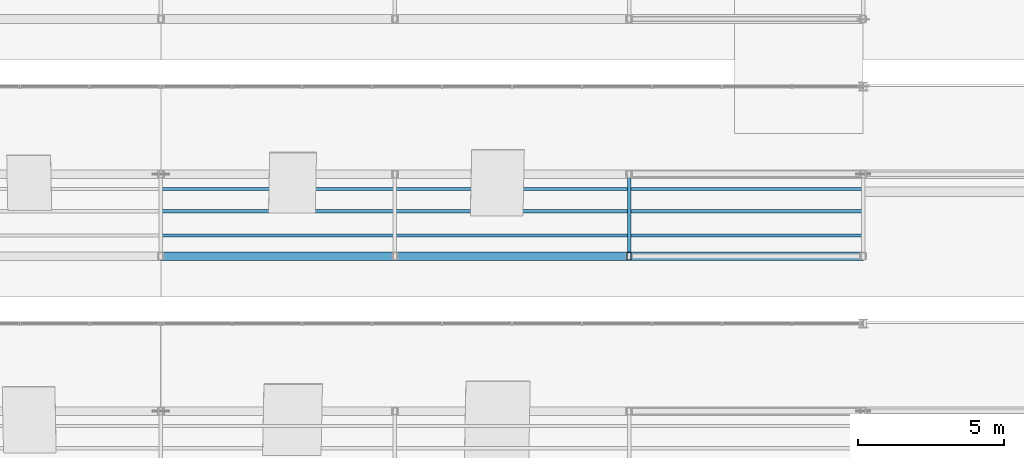
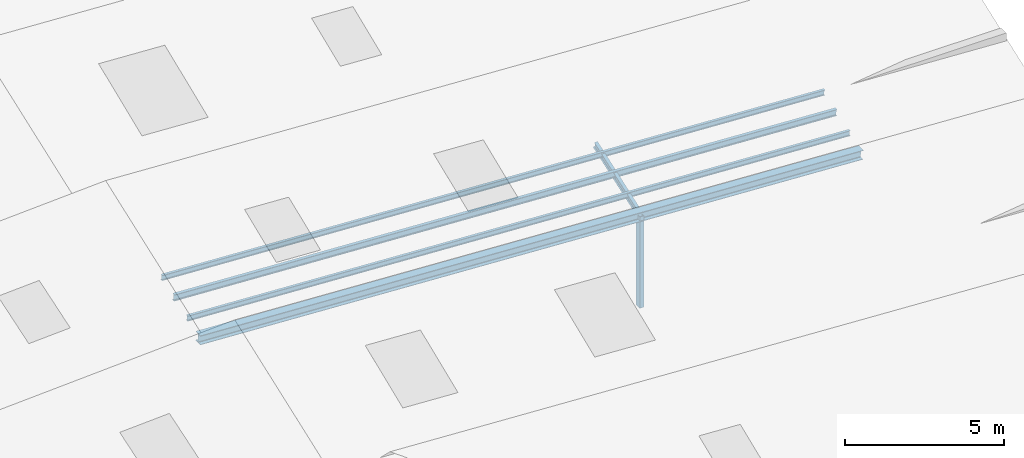
# One storey, part 108 of 141: 6 members.
"""IFC4 building model written with IfcOpenShell, lengths in metres."""

from ifc_helpers import new_model, si_unit, direction, frame, origin, origin_2d, place, context, subcontext, project, spatial, hollow_rectangle, i_section, extrude, material, material_profile, profile_set, type_object, element, save


model = new_model("IFC4")

# Units and contexts
model_context = context("Model", 3, precision=1e-05, world=origin(), true_north=direction((0.0, 1.0)))
body_context = subcontext(model_context, "Body", "Model", "MODEL_VIEW")
ifc_project = project(units=[si_unit("LENGTHUNIT", "METRE"), si_unit("AREAUNIT", "SQUARE_METRE"), si_unit("VOLUMEUNIT", "CUBIC_METRE"), si_unit("PLANEANGLEUNIT", "RADIAN"), si_unit("MASSUNIT", "GRAM", prefix="KILO")], contexts=[model_context])

# Site, building, storey
site_placement = place(None, origin())
site = spatial("IfcSite", under=ifc_project, at=site_placement, CompositionType="ELEMENT")
building_placement = place(site_placement, origin())
building = spatial("IfcBuilding", under=site, at=building_placement, Name="Sundkrona Museum", CompositionType="ELEMENT")
storey_placement = place(building_placement, frame((0.0, 0.0, 34.0)))
storey = spatial("IfcBuildingStorey", under=building, at=storey_placement, Name="RF", CompositionType="ELEMENT", Elevation=34.0)

# Members
ifc_material = material(Name="Steel S355J2", Category="steel")
ifc_material_profile_1 = material_profile(ifc_material, i_section(OverallWidth=0.10009765625, OverallDepth=0.199951171875, WebThickness=0.005615234375, FlangeThickness=0.008544921875, FilletRadius=0.011962890625, at=origin_2d()), Name="IPE 200")
ifc_profile_set_1 = profile_set([ifc_material_profile_1], Name="Steel S355J2")
member_type_1 = type_object("IfcMemberType", Name="PR-IPE200", PredefinedType="PURLIN", material=ifc_profile_set_1)
for number, where, z_axis, x_axis, name in (
    (1, (144.0, 29.5, 4.4580078125), (0.998539934522, 0.0, -0.054018507607), (0.0, 1.0, 0.0), "RFS-1 Sawtooth Blade 5E Roof Purlin 1"),
    (2, (144.0, 31.095947265625, 5.04541015625), (0.998539934522, 0.0, -0.054018507607), (0.0, 1.0, 0.0), "RFS-1 Sawtooth Blade 5E Roof Purlin 3"),
):
    element("IfcMember", number, at=place(storey_placement, frame(where, z_axis=z_axis, x_axis=x_axis)), inside=storey, type_object=member_type_1, Name=name, PredefinedType="PURLIN", context=body_context, shape_type="SweptSolid", body=[
        extrude(i_section(OverallWidth=0.10009765625, OverallDepth=0.199951171875, WebThickness=0.005615234375, FlangeThickness=0.008544921875, FilletRadius=0.011962890625, at=origin_2d()), origin(), (0.0, 0.0, 1.0), 24.03515625),
    ])
ifc_material_profile_2 = material_profile(ifc_material, i_section(OverallWidth=0.1201171875, OverallDepth=0.239990234375, WebThickness=0.006103515625, FlangeThickness=0.009765625, FilletRadius=0.014892578125, at=origin_2d()), Name="IPE 240")
ifc_profile_set_2 = profile_set([ifc_material_profile_2], Name="Steel S355J2")
member_type_2 = type_object("IfcMemberType", Name="PR-IPE240", PredefinedType="PURLIN", material=ifc_profile_set_2)
member_1_placement = place(storey_placement, frame((160.0, 28.800048828125, 3.249755859375), z_axis=(0.0, 0.942754878846, 0.333486489099), x_axis=(-1.0, 0.0, 0.0)))
element("IfcMember", 3, at=member_1_placement, inside=storey, type_object=member_type_2, Name="RFS-1 Sawtooth Bay 5 Transverse Rafter 6", PredefinedType="PURLIN", context=body_context, shape_type="SweptSolid", body=[
    extrude(i_section(OverallWidth=0.1201171875, OverallDepth=0.239990234375, WebThickness=0.006103515625, FlangeThickness=0.009765625, FilletRadius=0.014892578125, at=origin_2d()), origin(), (0.0, 0.0, 1.0), 2.969970703125),
])
member_2_placement = place(storey_placement, frame((144.0, 30.340087890625, 4.7470703125), z_axis=(0.998539934522, 0.0, -0.054018507607), x_axis=(0.0, 1.0, 0.0)))
element("IfcMember", 4, at=member_2_placement, inside=storey, type_object=member_type_2, Name="RFS-1 Sawtooth Blade 5E Roof Purlin 2", PredefinedType="PURLIN", context=body_context, shape_type="SweptSolid", body=[
    extrude(i_section(OverallWidth=0.1201171875, OverallDepth=0.239990234375, WebThickness=0.006103515625, FlangeThickness=0.009765625, FilletRadius=0.014892578125, at=origin_2d()), origin(), (0.0, 0.0, 1.0), 24.03515625),
])
ifc_material_profile_3 = material_profile(ifc_material, hollow_rectangle(XDim=0.14990234375, YDim=0.25, WallThickness=0.010009765625, at=origin_2d()), Name="RHS 250x150x10.0")
ifc_profile_set_3 = profile_set([ifc_material_profile_3], Name="Steel S355J2")
member_type_3 = type_object("IfcMemberType", Name="ST-RHS250", PredefinedType="STRUT", material=ifc_profile_set_3)
member_3_placement = place(storey_placement, frame((160.0, 28.800048828125, -0.25), z_axis=(0.0, 0.0, 1.0), x_axis=(1.0, 0.0, 0.0)))
element("IfcMember", 5, at=member_3_placement, inside=storey, type_object=member_type_3, Name="RFS-1 Sawtooth Bay 5 Valley Post 6", PredefinedType="STRUT", context=body_context, shape_type="SweptSolid", body=[
    extrude(hollow_rectangle(XDim=0.14990234375, YDim=0.25, WallThickness=0.010009765625, at=origin_2d()), origin(), (0.0, 0.0, 1.0), 3.499755859375),
])
ifc_material_profile_4 = material_profile(ifc_material, i_section(OverallWidth=0.300048828125, OverallDepth=0.35009765625, WebThickness=0.010009765625, FlangeThickness=0.017578125, FilletRadius=0.027099609375, at=origin_2d()), Name="HEA 360")
ifc_profile_set_4 = profile_set([ifc_material_profile_4], Name="Steel S355J2")
member_type_4 = type_object("IfcMemberType", Name="TC-HEA360", PredefinedType="CHORD", material=ifc_profile_set_4)
member_4_placement = place(storey_placement, frame((144.0, 28.800048828125, 4.115234375), z_axis=(0.998539934522, 0.0, -0.054018507607), x_axis=(0.0, 1.0, 0.0)))
element("IfcMember", 6, at=member_4_placement, inside=storey, type_object=member_type_4, Name="RFS-1 Sawtooth Valley Truss 5 East Top Chord", PredefinedType="CHORD", context=body_context, shape_type="SweptSolid", body=[
    extrude(i_section(OverallWidth=0.300048828125, OverallDepth=0.35009765625, WebThickness=0.010009765625, FlangeThickness=0.017578125, FilletRadius=0.027099609375, at=origin_2d()), origin(), (0.0, 0.0, 1.0), 24.03515625),
])

save(model, "model.ifc")
